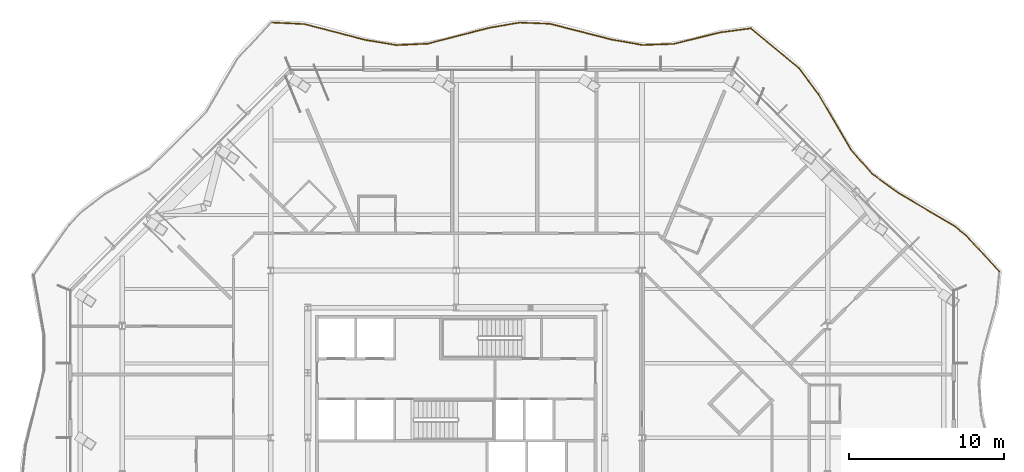
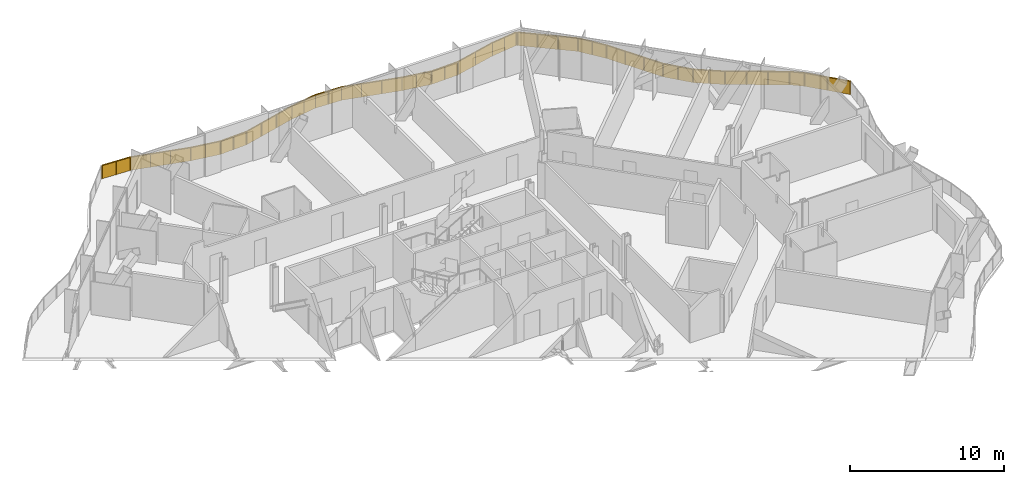
# One storey, part 19 of 19: 2 railings.
"""IFC4 building model written with IfcOpenShell, lengths in metres."""

from ifc_helpers import new_model, si_unit, direction, frame, origin, origin_2d, place, context, subcontext, project, spatial, polyline, rectangle, outline, extrude, material, type_object, element, save


model = new_model("IFC4")

# Units and contexts
model_context = context("Model", 3, precision=1e-05, world=origin(), true_north=direction((0.0, 1.0)))
body_context = subcontext(model_context, "Body", "Model", "MODEL_VIEW")
ifc_project = project(units=[si_unit("LENGTHUNIT", "METRE"), si_unit("AREAUNIT", "SQUARE_METRE"), si_unit("VOLUMEUNIT", "CUBIC_METRE"), si_unit("PLANEANGLEUNIT", "RADIAN"), si_unit("MASSUNIT", "GRAM", prefix="KILO")], contexts=[model_context])

# Site, building, storey
site_placement = place(None, origin())
site = spatial("IfcSite", under=ifc_project, at=site_placement, CompositionType="ELEMENT")
building_placement = place(site_placement, origin())
building = spatial("IfcBuilding", under=site, at=building_placement, Name="Cairn Pilgrim Tower", CompositionType="ELEMENT")
storey_placement = place(building_placement, frame((0.0, 0.0, 186.60009765625)))
storey = spatial("IfcBuildingStorey", under=building, at=storey_placement, Name="L47", CompositionType="ELEMENT", Elevation=186.60009765625)

# Railings
ifc_material = material(Name="Bronze anodised aluminium rail and posts with laminated glass infill", Category="aluminium")
railing_type = type_object("IfcRailingType", Name="BALCONY GUARD 1100", PredefinedType="GUARDRAIL", material=ifc_material)
railing_1_placement = place(storey_placement, frame((42.294677734375, 13.12890625, 0.0)))
element("IfcRailing", 1, at=railing_1_placement, inside=storey, type_object=railing_type, Name="Balcony guard BG-6", PredefinedType="GUARDRAIL", context=body_context, shape_type="SweptSolid", body=[
    extrude(rectangle(XDim=0.050048828125, YDim=0.050048828125, at=origin_2d()), frame((0.0, 0.0, 1.0751953125), z_axis=(-0.675668331603, 0.737205741749, 0.0), x_axis=(-0.737205741749, -0.675668331603, 0.0)), (0.0, 0.0, 1.0), 3.14208984375),
    extrude(rectangle(XDim=0.050048828125, YDim=0.050048828125, at=origin_2d()), frame((-2.123046875, 2.31640625, 1.0751953125), z_axis=(-0.775464847242, 0.631390743274, 0.0), x_axis=(-0.631390743274, -0.775464847242, 0.0)), (0.0, 0.0, 1.0), 1.00146484375),
    extrude(rectangle(XDim=0.050048828125, YDim=0.050048828125, at=origin_2d()), frame((-2.899658203125, 2.94873046875, 1.0751953125), z_axis=(-0.861379591823, 0.507961808398, 0.0), x_axis=(-0.507961808398, -0.861379591823, 0.0)), (0.0, 0.0, 1.0), 4.2021484375),
    extrude(rectangle(XDim=0.050048828125, YDim=0.050048828125, at=origin_2d()), frame((-6.519287109375, 5.083251953125, 1.0751953125), z_axis=(-0.809024532223, 0.587774877195, 0.0), x_axis=(-0.587774877195, -0.809024532223, 0.0)), (0.0, 0.0, 1.0), 2.08544921875),
    extrude(rectangle(XDim=0.050048828125, YDim=0.050048828125, at=origin_2d()), frame((-8.20654296875, 6.30908203125, 1.0751953125), z_axis=(-0.662584055719, 0.748987562718, 0.0), x_axis=(-0.748987562718, -0.662584055719, 0.0)), (0.0, 0.0, 1.0), 2.071044921875),
    extrude(rectangle(XDim=0.050048828125, YDim=0.050048828125, at=origin_2d()), frame((-9.578857421875, 7.8603515625, 1.0751953125), z_axis=(-0.505713554446, 0.862701455226, 0.0), x_axis=(-0.862701455226, -0.505713554446, 0.0)), (0.0, 0.0, 1.0), 4.215576171875),
    extrude(rectangle(XDim=0.050048828125, YDim=0.050048828125, at=origin_2d()), frame((-11.710693359375, 11.4970703125, 1.0751953125), z_axis=(-0.598845669788, 0.800864447816, 0.0), x_axis=(-0.800864447816, -0.598845669788, 0.0)), (0.0, 0.0, 1.0), 2.031494140625),
    extrude(rectangle(XDim=0.050048828125, YDim=0.050048828125, at=origin_2d()), frame((-12.92724609375, 13.1240234375, 1.0751953125), z_axis=(-0.769606891949, 0.638517996508, 0.0), x_axis=(-0.638517996508, -0.769606891949, 0.0)), (0.0, 0.0, 1.0), 4.009765625),
    extrude(rectangle(XDim=0.050048828125, YDim=0.050048828125, at=origin_2d()), origin(), (0.0, 0.0, 1.0), 1.050048828125),
    extrude(rectangle(XDim=0.050048828125, YDim=0.050048828125, at=origin_2d()), frame((-1.0615234375, 1.158203125, 0.0)), (0.0, 0.0, 1.0), 1.050048828125),
    extrude(rectangle(XDim=0.050048828125, YDim=0.050048828125, at=origin_2d()), frame((-2.123046875, 2.31640625, 0.0)), (0.0, 0.0, 1.0), 1.050048828125),
    extrude(rectangle(XDim=0.050048828125, YDim=0.050048828125, at=origin_2d()), frame((-2.899658203125, 2.94873046875, 0.0)), (0.0, 0.0, 1.0), 1.050048828125),
    extrude(rectangle(XDim=0.050048828125, YDim=0.050048828125, at=origin_2d()), frame((-4.106201171875, 3.66015625, 0.0)), (0.0, 0.0, 1.0), 1.050048828125),
    extrude(rectangle(XDim=0.050048828125, YDim=0.050048828125, at=origin_2d()), frame((-5.312744140625, 4.371826171875, 0.0)), (0.0, 0.0, 1.0), 1.050048828125),
    extrude(rectangle(XDim=0.050048828125, YDim=0.050048828125, at=origin_2d()), frame((-6.519287109375, 5.083251953125, 0.0)), (0.0, 0.0, 1.0), 1.050048828125),
    extrude(rectangle(XDim=0.050048828125, YDim=0.050048828125, at=origin_2d()), frame((-7.36279296875, 5.6962890625, 0.0)), (0.0, 0.0, 1.0), 1.050048828125),
    extrude(rectangle(XDim=0.050048828125, YDim=0.050048828125, at=origin_2d()), frame((-8.20654296875, 6.30908203125, 0.0)), (0.0, 0.0, 1.0), 1.050048828125),
    extrude(rectangle(XDim=0.050048828125, YDim=0.050048828125, at=origin_2d()), frame((-8.892578125, 7.084716796875, 0.0)), (0.0, 0.0, 1.0), 1.050048828125),
    extrude(rectangle(XDim=0.050048828125, YDim=0.050048828125, at=origin_2d()), frame((-9.578857421875, 7.8603515625, 0.0)), (0.0, 0.0, 1.0), 1.050048828125),
    extrude(rectangle(XDim=0.050048828125, YDim=0.050048828125, at=origin_2d()), frame((-10.28955078125, 9.072509765625, 0.0)), (0.0, 0.0, 1.0), 1.050048828125),
    extrude(rectangle(XDim=0.050048828125, YDim=0.050048828125, at=origin_2d()), frame((-11.0, 10.284912109375, 0.0)), (0.0, 0.0, 1.0), 1.050048828125),
    extrude(rectangle(XDim=0.050048828125, YDim=0.050048828125, at=origin_2d()), frame((-11.710693359375, 11.4970703125, 0.0)), (0.0, 0.0, 1.0), 1.050048828125),
    extrude(rectangle(XDim=0.050048828125, YDim=0.050048828125, at=origin_2d()), frame((-12.31884765625, 12.310546875, 0.0)), (0.0, 0.0, 1.0), 1.050048828125),
    extrude(rectangle(XDim=0.050048828125, YDim=0.050048828125, at=origin_2d()), frame((-12.92724609375, 13.1240234375, 0.0)), (0.0, 0.0, 1.0), 1.050048828125),
    extrude(rectangle(XDim=0.050048828125, YDim=0.050048828125, at=origin_2d()), frame((-13.955810546875, 13.9775390625, 0.0)), (0.0, 0.0, 1.0), 1.050048828125),
    extrude(rectangle(XDim=0.050048828125, YDim=0.050048828125, at=origin_2d()), frame((-14.984619140625, 14.830810546875, 0.0)), (0.0, 0.0, 1.0), 1.050048828125),
    extrude(rectangle(XDim=0.050048828125, YDim=0.050048828125, at=origin_2d()), frame((-16.01318359375, 15.684326171875, 0.0)), (0.0, 0.0, 1.0), 1.050048828125),
    extrude(outline(polyline([(0.02490234375, 0.0), (1.546142578125, 0.0), (1.546142578125, 1.050048828125), (0.02490234375, 1.050048828125), (0.02490234375, 0.0)])), frame((-0.00439453125, -0.004150390625, 0.0), z_axis=(0.737205741749, 0.675668331603, 0.0), x_axis=(-0.675668331603, 0.737205741749, 0.0)), (0.0, 0.0, 1.0), 0.011962890625),
    extrude(outline(polyline([(0.02490234375, 0.0), (1.546142578125, 0.0), (1.546142578125, 1.050048828125), (0.02490234375, 1.050048828125), (0.02490234375, 0.0)])), frame((-1.06591796875, 1.154052734375, 0.0), z_axis=(0.737205741749, 0.675668331603, 0.0), x_axis=(-0.675668331603, 0.737205741749, 0.0)), (0.0, 0.0, 1.0), 0.011962890625),
    extrude(outline(polyline([(0.02490234375, 0.0), (0.9765625, 0.0), (0.9765625, 1.050048828125), (0.02490234375, 1.050048828125), (0.02490234375, 0.0)])), frame((-2.126708984375, 2.311767578125, 0.0), z_axis=(0.631390743274, 0.775464847242, 0.0), x_axis=(-0.775464847242, 0.631390743274, 0.0)), (0.0, 0.0, 1.0), 0.011962890625),
    extrude(outline(polyline([(0.02490234375, 0.0), (1.375732421875, 0.0), (1.375732421875, 1.050048828125), (0.02490234375, 1.050048828125), (0.02490234375, 0.0)])), frame((-2.902587890625, 2.943603515625, 0.0), z_axis=(0.507961808398, 0.861379591823, 0.0), x_axis=(-0.861379591823, 0.507961808398, 0.0)), (0.0, 0.0, 1.0), 0.011962890625),
    extrude(outline(polyline([(0.02490234375, 0.0), (1.375732421875, 0.0), (1.375732421875, 1.050048828125), (0.02490234375, 1.050048828125), (0.02490234375, 0.0)])), frame((-4.109130859375, 3.655029296875, 0.0), z_axis=(0.507961808398, 0.861379591823, 0.0), x_axis=(-0.861379591823, 0.507961808398, 0.0)), (0.0, 0.0, 1.0), 0.011962890625),
    extrude(outline(polyline([(0.02490234375, 0.0), (1.375732421875, 0.0), (1.375732421875, 1.050048828125), (0.02490234375, 1.050048828125), (0.02490234375, 0.0)])), frame((-5.315673828125, 4.36669921875, 0.0), z_axis=(0.507961808398, 0.861379591823, 0.0), x_axis=(-0.861379591823, 0.507961808398, 0.0)), (0.0, 0.0, 1.0), 0.011962890625),
    extrude(outline(polyline([(0.02490234375, 0.0), (1.017822265625, 0.0), (1.017822265625, 1.050048828125), (0.02490234375, 1.050048828125), (0.02490234375, 0.0)])), frame((-6.522705078125, 5.078369140625, 0.0), z_axis=(0.587774877195, 0.809024532223, 0.0), x_axis=(-0.809024532223, 0.587774877195, 0.0)), (0.0, 0.0, 1.0), 0.011962890625),
    extrude(outline(polyline([(0.02490234375, 0.0), (1.017822265625, 0.0), (1.017822265625, 1.050048828125), (0.02490234375, 1.050048828125), (0.02490234375, 0.0)])), frame((-7.366455078125, 5.69140625, 0.0), z_axis=(0.587774877195, 0.809024532223, 0.0), x_axis=(-0.809024532223, 0.587774877195, 0.0)), (0.0, 0.0, 1.0), 0.011962890625),
    extrude(outline(polyline([(0.02490234375, 0.0), (1.010498046875, 0.0), (1.010498046875, 1.050048828125), (0.02490234375, 1.050048828125), (0.02490234375, 0.0)])), frame((-8.2109375, 6.30517578125, 0.0), z_axis=(0.748987562718, 0.662584055719, 0.0), x_axis=(-0.662584055719, 0.748987562718, 0.0)), (0.0, 0.0, 1.0), 0.011962890625),
    extrude(outline(polyline([(0.02490234375, 0.0), (1.010498046875, 0.0), (1.010498046875, 1.050048828125), (0.02490234375, 1.050048828125), (0.02490234375, 0.0)])), frame((-8.897216796875, 7.080810546875, 0.0), z_axis=(0.748987562718, 0.662584055719, 0.0), x_axis=(-0.662584055719, 0.748987562718, 0.0)), (0.0, 0.0, 1.0), 0.011962890625),
    extrude(outline(polyline([(0.02490234375, 0.0), (1.380126953125, 0.0), (1.380126953125, 1.050048828125), (0.02490234375, 1.050048828125), (0.02490234375, 0.0)])), frame((-9.583984375, 7.857421875, 0.0), z_axis=(0.862701455226, 0.505713554446, 0.0), x_axis=(-0.505713554446, 0.862701455226, 0.0)), (0.0, 0.0, 1.0), 0.011962890625),
    extrude(outline(polyline([(0.02490234375, 0.0), (1.380126953125, 0.0), (1.380126953125, 1.050048828125), (0.02490234375, 1.050048828125), (0.02490234375, 0.0)])), frame((-10.294677734375, 9.069580078125, 0.0), z_axis=(0.862701455226, 0.505713554446, 0.0), x_axis=(-0.505713554446, 0.862701455226, 0.0)), (0.0, 0.0, 1.0), 0.011962890625),
    extrude(outline(polyline([(0.02490234375, 0.0), (1.380126953125, 0.0), (1.380126953125, 1.050048828125), (0.02490234375, 1.050048828125), (0.02490234375, 0.0)])), frame((-11.005126953125, 10.28173828125, 0.0), z_axis=(0.862701455226, 0.505713554446, 0.0), x_axis=(-0.505713554446, 0.862701455226, 0.0)), (0.0, 0.0, 1.0), 0.011962890625),
    extrude(outline(polyline([(0.02490234375, 0.0), (0.99072265625, 0.0), (0.99072265625, 1.050048828125), (0.02490234375, 1.050048828125), (0.02490234375, 0.0)])), frame((-11.715576171875, 11.493408203125, 0.0), z_axis=(0.800864447816, 0.598845669788, 0.0), x_axis=(-0.598845669788, 0.800864447816, 0.0)), (0.0, 0.0, 1.0), 0.011962890625),
    extrude(outline(polyline([(0.02490234375, 0.0), (0.99072265625, 0.0), (0.99072265625, 1.050048828125), (0.02490234375, 1.050048828125), (0.02490234375, 0.0)])), frame((-12.32373046875, 12.306884765625, 0.0), z_axis=(0.800864447816, 0.598845669788, 0.0), x_axis=(-0.598845669788, 0.800864447816, 0.0)), (0.0, 0.0, 1.0), 0.011962890625),
    extrude(outline(polyline([(0.02490234375, 0.0), (1.3115234375, 0.0), (1.3115234375, 1.050048828125), (0.02490234375, 1.050048828125), (0.02490234375, 0.0)])), frame((-12.93115234375, 13.119384765625, 0.0), z_axis=(0.638517996508, 0.769606891949, 0.0), x_axis=(-0.769606891949, 0.638517996508, 0.0)), (0.0, 0.0, 1.0), 0.011962890625),
    extrude(outline(polyline([(0.02490234375, 0.0), (1.3115234375, 0.0), (1.3115234375, 1.050048828125), (0.02490234375, 1.050048828125), (0.02490234375, 0.0)])), frame((-13.959716796875, 13.972900390625, 0.0), z_axis=(0.638517996508, 0.769606891949, 0.0), x_axis=(-0.769606891949, 0.638517996508, 0.0)), (0.0, 0.0, 1.0), 0.011962890625),
    extrude(outline(polyline([(0.02490234375, 0.0), (1.3115234375, 0.0), (1.3115234375, 1.050048828125), (0.02490234375, 1.050048828125), (0.02490234375, 0.0)])), frame((-14.98828125, 14.826171875, 0.0), z_axis=(0.638517996508, 0.769606891949, 0.0), x_axis=(-0.769606891949, 0.638517996508, 0.0)), (0.0, 0.0, 1.0), 0.011962890625),
])
railing_2_placement = place(storey_placement, frame((26.2353515625, 28.8515625, 0.0)))
element("IfcRailing", 2, at=railing_2_placement, inside=storey, type_object=railing_type, Name="Balcony guard BG-7", PredefinedType="GUARDRAIL", context=body_context, shape_type="SweptSolid", body=[
    extrude(rectangle(XDim=0.050048828125, YDim=0.050048828125, at=origin_2d()), frame((0.0, 0.0, 1.0751953125), z_axis=(-0.991172879778, -0.132575723241, 0.0), x_axis=(0.132575723241, -0.991172879778, 0.0)), (0.0, 0.0, 1.0), 2.018310546875),
    extrude(rectangle(XDim=0.050048828125, YDim=0.050048828125, at=origin_2d()), frame((-2.00048828125, -0.267578125, 1.0751953125), z_axis=(-0.970797139387, -0.239901884441, 0.0), x_axis=(0.239901884441, -0.970797139387, 0.0)), (0.0, 0.0, 1.0), 3.076416015625),
    extrude(rectangle(XDim=0.050048828125, YDim=0.050048828125, at=origin_2d()), frame((-4.987060546875, -1.005615234375, 1.0751953125), z_axis=(-0.999414158024, -0.034224855605, 0.0), x_axis=(0.034224855605, -0.999414158024, 0.0)), (0.0, 0.0, 1.0), 2.018798828125),
    extrude(rectangle(XDim=0.050048828125, YDim=0.050048828125, at=origin_2d()), frame((-7.004638671875, -1.07470703125, 1.0751953125), z_axis=(-0.984864246316, 0.173327482902, 0.0), x_axis=(-0.173327482902, -0.984864246316, 0.0)), (0.0, 0.0, 1.0), 2.0380859375),
    extrude(rectangle(XDim=0.050048828125, YDim=0.050048828125, at=origin_2d()), frame((-9.011962890625, -0.721435546875, 1.0751953125), z_axis=(-0.96860346181, 0.248610807831, 0.0), x_axis=(-0.248610807831, -0.96860346181, 0.0)), (0.0, 0.0, 1.0), 4.091064453125),
    extrude(rectangle(XDim=0.050048828125, YDim=0.050048828125, at=origin_2d()), frame((-12.974609375, 0.295654296875, 1.0751953125), z_axis=(-0.999177058055, 0.040561147123, 0.0), x_axis=(-0.040561147123, -0.999177058055, 0.0)), (0.0, 0.0, 1.0), 1.956298828125),
    extrude(rectangle(XDim=0.050048828125, YDim=0.050048828125, at=origin_2d()), frame((-14.92919921875, 0.375, 1.0751953125), z_axis=(-0.985669430512, -0.16868839247, 0.0), x_axis=(0.16868839247, -0.985669430512, 0.0)), (0.0, 0.0, 1.0), 1.992919921875),
    extrude(rectangle(XDim=0.050048828125, YDim=0.050048828125, at=origin_2d()), frame((-16.8935546875, 0.038818359375, 1.0751953125), z_axis=(-0.968270372238, -0.249904954424, 0.0), x_axis=(0.249904954424, -0.968270372238, 0.0)), (0.0, 0.0, 1.0), 4.11181640625),
    extrude(rectangle(XDim=0.050048828125, YDim=0.050048828125, at=origin_2d()), frame((-20.875, -0.98876953125, 1.0751953125), z_axis=(-0.998910934294, -0.046657746931, 0.0), x_axis=(0.046657746931, -0.998910934294, 0.0)), (0.0, 0.0, 1.0), 2.019775390625),
    extrude(rectangle(XDim=0.050048828125, YDim=0.050048828125, at=origin_2d()), frame((-22.892578125, -1.0830078125, 1.0751953125), z_axis=(-0.986474822289, 0.163912857915, 0.0), x_axis=(-0.163912857915, -0.986474822289, 0.0)), (0.0, 0.0, 1.0), 2.0361328125),
    extrude(rectangle(XDim=0.050048828125, YDim=0.050048828125, at=origin_2d()), frame((-24.901123046875, -0.749267578125, 1.0751953125), z_axis=(-0.967972754923, 0.251055264288, 0.0), x_axis=(-0.251055264288, -0.967972754923, 0.0)), (0.0, 0.0, 1.0), 4.094970703125),
    extrude(rectangle(XDim=0.050048828125, YDim=0.050048828125, at=origin_2d()), frame((-28.864990234375, 0.27880859375, 1.0751953125), z_axis=(-0.998832943514, 0.048298560552, 0.0), x_axis=(-0.048298560552, -0.998832943514, 0.0)), (0.0, 0.0, 1.0), 2.087646484375),
    extrude(rectangle(XDim=0.050048828125, YDim=0.050048828125, at=origin_2d()), origin(), (0.0, 0.0, 1.0), 1.050048828125),
    extrude(rectangle(XDim=0.050048828125, YDim=0.050048828125, at=origin_2d()), frame((-1.000244140625, -0.1337890625, 0.0)), (0.0, 0.0, 1.0), 1.050048828125),
    extrude(rectangle(XDim=0.050048828125, YDim=0.050048828125, at=origin_2d()), frame((-2.00048828125, -0.267578125, 0.0)), (0.0, 0.0, 1.0), 1.050048828125),
    extrude(rectangle(XDim=0.050048828125, YDim=0.050048828125, at=origin_2d()), frame((-3.49365234375, -0.63671875, 0.0)), (0.0, 0.0, 1.0), 1.050048828125),
    extrude(rectangle(XDim=0.050048828125, YDim=0.050048828125, at=origin_2d()), frame((-4.987060546875, -1.005615234375, 0.0)), (0.0, 0.0, 1.0), 1.050048828125),
    extrude(rectangle(XDim=0.050048828125, YDim=0.050048828125, at=origin_2d()), frame((-5.995849609375, -1.0400390625, 0.0)), (0.0, 0.0, 1.0), 1.050048828125),
    extrude(rectangle(XDim=0.050048828125, YDim=0.050048828125, at=origin_2d()), frame((-7.004638671875, -1.07470703125, 0.0)), (0.0, 0.0, 1.0), 1.050048828125),
    extrude(rectangle(XDim=0.050048828125, YDim=0.050048828125, at=origin_2d()), frame((-8.00830078125, -0.89794921875, 0.0)), (0.0, 0.0, 1.0), 1.050048828125),
    extrude(rectangle(XDim=0.050048828125, YDim=0.050048828125, at=origin_2d()), frame((-9.011962890625, -0.721435546875, 0.0)), (0.0, 0.0, 1.0), 1.050048828125),
    extrude(rectangle(XDim=0.050048828125, YDim=0.050048828125, at=origin_2d()), frame((-10.332763671875, -0.38232421875, 0.0)), (0.0, 0.0, 1.0), 1.050048828125),
    extrude(rectangle(XDim=0.050048828125, YDim=0.050048828125, at=origin_2d()), frame((-11.65380859375, -0.04345703125, 0.0)), (0.0, 0.0, 1.0), 1.050048828125),
    extrude(rectangle(XDim=0.050048828125, YDim=0.050048828125, at=origin_2d()), frame((-12.974609375, 0.295654296875, 0.0)), (0.0, 0.0, 1.0), 1.050048828125),
    extrude(rectangle(XDim=0.050048828125, YDim=0.050048828125, at=origin_2d()), frame((-13.951904296875, 0.33544921875, 0.0)), (0.0, 0.0, 1.0), 1.050048828125),
    extrude(rectangle(XDim=0.050048828125, YDim=0.050048828125, at=origin_2d()), frame((-14.92919921875, 0.375, 0.0)), (0.0, 0.0, 1.0), 1.050048828125),
    extrude(rectangle(XDim=0.050048828125, YDim=0.050048828125, at=origin_2d()), frame((-15.911376953125, 0.20703125, 0.0)), (0.0, 0.0, 1.0), 1.050048828125),
    extrude(rectangle(XDim=0.050048828125, YDim=0.050048828125, at=origin_2d()), frame((-16.8935546875, 0.038818359375, 0.0)), (0.0, 0.0, 1.0), 1.050048828125),
    extrude(rectangle(XDim=0.050048828125, YDim=0.050048828125, at=origin_2d()), frame((-18.220703125, -0.3037109375, 0.0)), (0.0, 0.0, 1.0), 1.050048828125),
    extrude(rectangle(XDim=0.050048828125, YDim=0.050048828125, at=origin_2d()), frame((-19.5478515625, -0.646240234375, 0.0)), (0.0, 0.0, 1.0), 1.050048828125),
    extrude(rectangle(XDim=0.050048828125, YDim=0.050048828125, at=origin_2d()), frame((-20.875, -0.98876953125, 0.0)), (0.0, 0.0, 1.0), 1.050048828125),
    extrude(rectangle(XDim=0.050048828125, YDim=0.050048828125, at=origin_2d()), frame((-21.8837890625, -1.035888671875, 0.0)), (0.0, 0.0, 1.0), 1.050048828125),
    extrude(rectangle(XDim=0.050048828125, YDim=0.050048828125, at=origin_2d()), frame((-22.892578125, -1.0830078125, 0.0)), (0.0, 0.0, 1.0), 1.050048828125),
    extrude(rectangle(XDim=0.050048828125, YDim=0.050048828125, at=origin_2d()), frame((-23.89697265625, -0.916015625, 0.0)), (0.0, 0.0, 1.0), 1.050048828125),
    extrude(rectangle(XDim=0.050048828125, YDim=0.050048828125, at=origin_2d()), frame((-24.901123046875, -0.749267578125, 0.0)), (0.0, 0.0, 1.0), 1.050048828125),
    extrude(rectangle(XDim=0.050048828125, YDim=0.050048828125, at=origin_2d()), frame((-26.222412109375, -0.406494140625, 0.0)), (0.0, 0.0, 1.0), 1.050048828125),
    extrude(rectangle(XDim=0.050048828125, YDim=0.050048828125, at=origin_2d()), frame((-27.543701171875, -0.06396484375, 0.0)), (0.0, 0.0, 1.0), 1.050048828125),
    extrude(rectangle(XDim=0.050048828125, YDim=0.050048828125, at=origin_2d()), frame((-28.864990234375, 0.27880859375, 0.0)), (0.0, 0.0, 1.0), 1.050048828125),
    extrude(rectangle(XDim=0.050048828125, YDim=0.050048828125, at=origin_2d()), frame((-29.90771484375, 0.3291015625, 0.0)), (0.0, 0.0, 1.0), 1.050048828125),
    extrude(rectangle(XDim=0.050048828125, YDim=0.050048828125, at=origin_2d()), frame((-30.9501953125, 0.379638671875, 0.0)), (0.0, 0.0, 1.0), 1.050048828125),
    extrude(outline(polyline([(0.02490234375, 0.0), (0.984130859375, 0.0), (0.984130859375, 1.050048828125), (0.02490234375, 1.050048828125), (0.02490234375, 0.0)])), frame((0.000732421875, -0.005859375, 0.0), z_axis=(-0.132575723241, 0.991172879778, 0.0), x_axis=(-0.991172879778, -0.132575723241, 0.0)), (0.0, 0.0, 1.0), 0.011962890625),
    extrude(outline(polyline([(0.02490234375, 0.0), (0.984130859375, 0.0), (0.984130859375, 1.050048828125), (0.02490234375, 1.050048828125), (0.02490234375, 0.0)])), frame((-0.99951171875, -0.1396484375, 0.0), z_axis=(-0.132575723241, 0.991172879778, 0.0), x_axis=(-0.991172879778, -0.132575723241, 0.0)), (0.0, 0.0, 1.0), 0.011962890625),
    extrude(outline(polyline([(0.02490234375, 0.0), (1.51318359375, 0.0), (1.51318359375, 1.050048828125), (0.02490234375, 1.050048828125), (0.02490234375, 0.0)])), frame((-1.9990234375, -0.2734375, 0.0), z_axis=(-0.239901884441, 0.970797139387, 0.0), x_axis=(-0.970797139387, -0.239901884441, 0.0)), (0.0, 0.0, 1.0), 0.011962890625),
    extrude(outline(polyline([(0.02490234375, 0.0), (1.51318359375, 0.0), (1.51318359375, 1.050048828125), (0.02490234375, 1.050048828125), (0.02490234375, 0.0)])), frame((-3.492431640625, -0.642333984375, 0.0), z_axis=(-0.239901884441, 0.970797139387, 0.0), x_axis=(-0.970797139387, -0.239901884441, 0.0)), (0.0, 0.0, 1.0), 0.011962890625),
    extrude(outline(polyline([(0.02490234375, 0.0), (0.984375, 0.0), (0.984375, 1.050048828125), (0.02490234375, 1.050048828125), (0.02490234375, 0.0)])), frame((-4.98681640625, -1.011474609375, 0.0), z_axis=(-0.034224855605, 0.999414158024, 0.0), x_axis=(-0.999414158024, -0.034224855605, 0.0)), (0.0, 0.0, 1.0), 0.011962890625),
    extrude(outline(polyline([(0.02490234375, 0.0), (0.984375, 0.0), (0.984375, 1.050048828125), (0.02490234375, 1.050048828125), (0.02490234375, 0.0)])), frame((-5.99560546875, -1.046142578125, 0.0), z_axis=(-0.034224855605, 0.999414158024, 0.0), x_axis=(-0.999414158024, -0.034224855605, 0.0)), (0.0, 0.0, 1.0), 0.011962890625),
    extrude(outline(polyline([(0.02490234375, 0.0), (0.994140625, 0.0), (0.994140625, 1.050048828125), (0.02490234375, 1.050048828125), (0.02490234375, 0.0)])), frame((-7.005615234375, -1.08056640625, 0.0), z_axis=(0.173327482902, 0.984864246316, 0.0), x_axis=(-0.984864246316, 0.173327482902, 0.0)), (0.0, 0.0, 1.0), 0.011962890625),
    extrude(outline(polyline([(0.02490234375, 0.0), (0.994140625, 0.0), (0.994140625, 1.050048828125), (0.02490234375, 1.050048828125), (0.02490234375, 0.0)])), frame((-8.00927734375, -0.904052734375, 0.0), z_axis=(0.173327482902, 0.984864246316, 0.0), x_axis=(-0.984864246316, 0.173327482902, 0.0)), (0.0, 0.0, 1.0), 0.011962890625),
    extrude(outline(polyline([(0.02490234375, 0.0), (1.338623046875, 0.0), (1.338623046875, 1.050048828125), (0.02490234375, 1.050048828125), (0.02490234375, 0.0)])), frame((-9.013427734375, -0.727294921875, 0.0), z_axis=(0.248610807831, 0.96860346181, 0.0), x_axis=(-0.96860346181, 0.248610807831, 0.0)), (0.0, 0.0, 1.0), 0.011962890625),
    extrude(outline(polyline([(0.02490234375, 0.0), (1.338623046875, 0.0), (1.338623046875, 1.050048828125), (0.02490234375, 1.050048828125), (0.02490234375, 0.0)])), frame((-10.334228515625, -0.38818359375, 0.0), z_axis=(0.248610807831, 0.96860346181, 0.0), x_axis=(-0.96860346181, 0.248610807831, 0.0)), (0.0, 0.0, 1.0), 0.011962890625),
    extrude(outline(polyline([(0.02490234375, 0.0), (1.338623046875, 0.0), (1.338623046875, 1.050048828125), (0.02490234375, 1.050048828125), (0.02490234375, 0.0)])), frame((-11.6552734375, -0.049072265625, 0.0), z_axis=(0.248610807831, 0.96860346181, 0.0), x_axis=(-0.96860346181, 0.248610807831, 0.0)), (0.0, 0.0, 1.0), 0.011962890625),
    extrude(outline(polyline([(0.02490234375, 0.0), (0.953125, 0.0), (0.953125, 1.050048828125), (0.02490234375, 1.050048828125), (0.02490234375, 0.0)])), frame((-12.974853515625, 0.289794921875, 0.0), z_axis=(0.040561147123, 0.999177058055, 0.0), x_axis=(-0.999177058055, 0.040561147123, 0.0)), (0.0, 0.0, 1.0), 0.011962890625),
    extrude(outline(polyline([(0.02490234375, 0.0), (0.953125, 0.0), (0.953125, 1.050048828125), (0.02490234375, 1.050048828125), (0.02490234375, 0.0)])), frame((-13.9521484375, 0.329345703125, 0.0), z_axis=(0.040561147123, 0.999177058055, 0.0), x_axis=(-0.999177058055, 0.040561147123, 0.0)), (0.0, 0.0, 1.0), 0.011962890625),
    extrude(outline(polyline([(0.02490234375, 0.0), (0.971435546875, 0.0), (0.971435546875, 1.050048828125), (0.02490234375, 1.050048828125), (0.02490234375, 0.0)])), frame((-14.92822265625, 0.369140625, 0.0), z_axis=(-0.16868839247, 0.985669430512, 0.0), x_axis=(-0.985669430512, -0.16868839247, 0.0)), (0.0, 0.0, 1.0), 0.011962890625),
    extrude(outline(polyline([(0.02490234375, 0.0), (0.971435546875, 0.0), (0.971435546875, 1.050048828125), (0.02490234375, 1.050048828125), (0.02490234375, 0.0)])), frame((-15.910400390625, 0.200927734375, 0.0), z_axis=(-0.16868839247, 0.985669430512, 0.0), x_axis=(-0.985669430512, -0.16868839247, 0.0)), (0.0, 0.0, 1.0), 0.011962890625),
    extrude(outline(polyline([(0.02490234375, 0.0), (1.345703125, 0.0), (1.345703125, 1.050048828125), (0.02490234375, 1.050048828125), (0.02490234375, 0.0)])), frame((-16.89208984375, 0.032958984375, 0.0), z_axis=(-0.249904954424, 0.968270372238, 0.0), x_axis=(-0.968270372238, -0.249904954424, 0.0)), (0.0, 0.0, 1.0), 0.011962890625),
    extrude(outline(polyline([(0.02490234375, 0.0), (1.345703125, 0.0), (1.345703125, 1.050048828125), (0.02490234375, 1.050048828125), (0.02490234375, 0.0)])), frame((-18.21923828125, -0.3095703125, 0.0), z_axis=(-0.249904954424, 0.968270372238, 0.0), x_axis=(-0.968270372238, -0.249904954424, 0.0)), (0.0, 0.0, 1.0), 0.011962890625),
    extrude(outline(polyline([(0.02490234375, 0.0), (1.345703125, 0.0), (1.345703125, 1.050048828125), (0.02490234375, 1.050048828125), (0.02490234375, 0.0)])), frame((-19.54638671875, -0.652099609375, 0.0), z_axis=(-0.249904954424, 0.968270372238, 0.0), x_axis=(-0.968270372238, -0.249904954424, 0.0)), (0.0, 0.0, 1.0), 0.011962890625),
    extrude(outline(polyline([(0.02490234375, 0.0), (0.98486328125, 0.0), (0.98486328125, 1.050048828125), (0.02490234375, 1.050048828125), (0.02490234375, 0.0)])), frame((-20.874755859375, -0.99462890625, 0.0), z_axis=(-0.046657746931, 0.998910934294, 0.0), x_axis=(-0.998910934294, -0.046657746931, 0.0)), (0.0, 0.0, 1.0), 0.011962890625),
    extrude(outline(polyline([(0.02490234375, 0.0), (0.98486328125, 0.0), (0.98486328125, 1.050048828125), (0.02490234375, 1.050048828125), (0.02490234375, 0.0)])), frame((-21.883544921875, -1.041748046875, 0.0), z_axis=(-0.046657746931, 0.998910934294, 0.0), x_axis=(-0.998910934294, -0.046657746931, 0.0)), (0.0, 0.0, 1.0), 0.011962890625),
    extrude(outline(polyline([(0.02490234375, 0.0), (0.992919921875, 0.0), (0.992919921875, 1.050048828125), (0.02490234375, 1.050048828125), (0.02490234375, 0.0)])), frame((-22.8935546875, -1.0888671875, 0.0), z_axis=(0.163912857915, 0.986474822289, 0.0), x_axis=(-0.986474822289, 0.163912857915, 0.0)), (0.0, 0.0, 1.0), 0.011962890625),
    extrude(outline(polyline([(0.02490234375, 0.0), (0.992919921875, 0.0), (0.992919921875, 1.050048828125), (0.02490234375, 1.050048828125), (0.02490234375, 0.0)])), frame((-23.89794921875, -0.922119140625, 0.0), z_axis=(0.163912857915, 0.986474822289, 0.0), x_axis=(-0.986474822289, 0.163912857915, 0.0)), (0.0, 0.0, 1.0), 0.011962890625),
    extrude(outline(polyline([(0.02490234375, 0.0), (1.340087890625, 0.0), (1.340087890625, 1.050048828125), (0.02490234375, 1.050048828125), (0.02490234375, 0.0)])), frame((-24.902587890625, -0.755126953125, 0.0), z_axis=(0.251055264288, 0.967972754923, 0.0), x_axis=(-0.967972754923, 0.251055264288, 0.0)), (0.0, 0.0, 1.0), 0.011962890625),
    extrude(outline(polyline([(0.02490234375, 0.0), (1.340087890625, 0.0), (1.340087890625, 1.050048828125), (0.02490234375, 1.050048828125), (0.02490234375, 0.0)])), frame((-26.223876953125, -0.412353515625, 0.0), z_axis=(0.251055264288, 0.967972754923, 0.0), x_axis=(-0.967972754923, 0.251055264288, 0.0)), (0.0, 0.0, 1.0), 0.011962890625),
    extrude(outline(polyline([(0.02490234375, 0.0), (1.340087890625, 0.0), (1.340087890625, 1.050048828125), (0.02490234375, 1.050048828125), (0.02490234375, 0.0)])), frame((-27.545166015625, -0.069580078125, 0.0), z_axis=(0.251055264288, 0.967972754923, 0.0), x_axis=(-0.967972754923, 0.251055264288, 0.0)), (0.0, 0.0, 1.0), 0.011962890625),
    extrude(outline(polyline([(0.02490234375, 0.0), (1.018798828125, 0.0), (1.018798828125, 1.050048828125), (0.02490234375, 1.050048828125), (0.02490234375, 0.0)])), frame((-28.865234375, 0.27294921875, 0.0), z_axis=(0.048298560552, 0.998832943514, 0.0), x_axis=(-0.998832943514, 0.048298560552, 0.0)), (0.0, 0.0, 1.0), 0.011962890625),
    extrude(outline(polyline([(0.02490234375, 0.0), (1.018798828125, 0.0), (1.018798828125, 1.050048828125), (0.02490234375, 1.050048828125), (0.02490234375, 0.0)])), frame((-29.907958984375, 0.3232421875, 0.0), z_axis=(0.048298560552, 0.998832943514, 0.0), x_axis=(-0.998832943514, 0.048298560552, 0.0)), (0.0, 0.0, 1.0), 0.011962890625),
])

save(model, "model.ifc")
